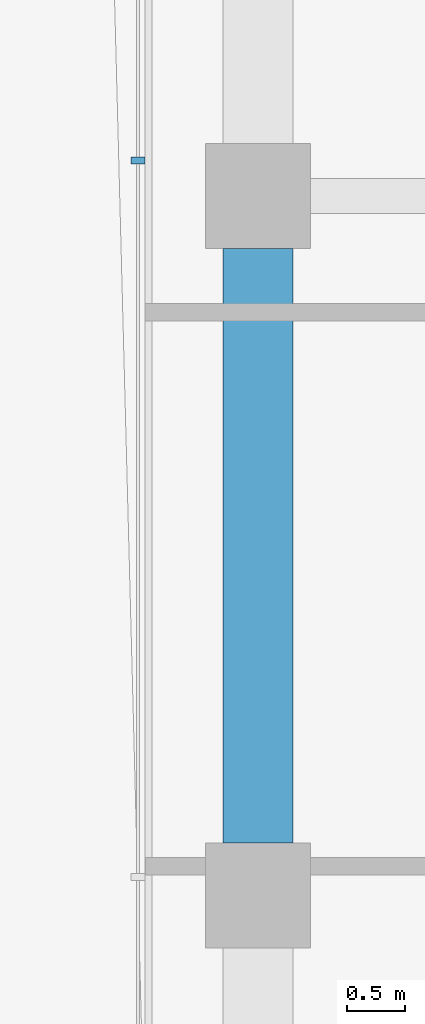
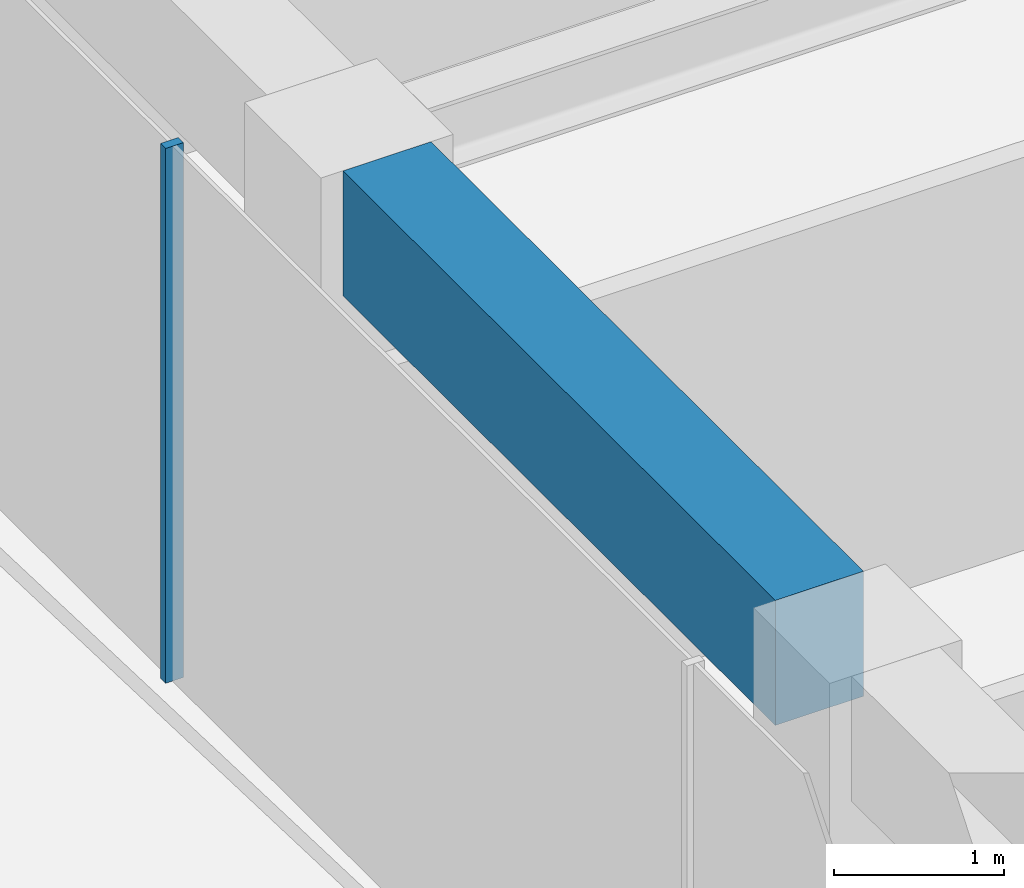
# One storey, part 9 of 23: 1 beam, 1 member, 1 element without a shape of its own.
"""IFC4 building model written with IfcOpenShell, lengths in metres."""

from ifc_helpers import new_model, si_unit, direction, frame, origin, origin_2d, place, context, subcontext, project, spatial, rectangle, extrude, material, layer, layer_set, material_profile, profile_set, type_object, element, aggregate, save


model = new_model("IFC4")

# Units and contexts
model_context = context("Model", 3, precision=1e-05, world=origin(), true_north=direction((0.0, 1.0)))
body_context = subcontext(model_context, "Body", "Model", "MODEL_VIEW")
ifc_project = project(units=[si_unit("LENGTHUNIT", "METRE"), si_unit("AREAUNIT", "SQUARE_METRE"), si_unit("VOLUMEUNIT", "CUBIC_METRE"), si_unit("PLANEANGLEUNIT", "RADIAN"), si_unit("MASSUNIT", "GRAM", prefix="KILO")], contexts=[model_context])

# Site, building, storey
site_placement = place(None, origin())
site = spatial("IfcSite", under=ifc_project, at=site_placement, CompositionType="ELEMENT")
building_placement = place(site_placement, origin())
building = spatial("IfcBuilding", under=site, at=building_placement, Name="Welwitschia Terrace Campus", CompositionType="ELEMENT")
storey_placement = place(building_placement, frame((0.0, 0.0, 104.60009765625)))
storey = spatial("IfcBuildingStorey", under=building, at=storey_placement, Name="L23", CompositionType="ELEMENT", Elevation=104.60009765625)

# Curtain wall, member
ifc_material_1 = material(Name="Bronze anodised aluminium", Category="aluminium")
ifc_layer = layer(ifc_material_1, 0.1201171875)
ifc_layer_set = layer_set([ifc_layer], Name="Bronze anodised aluminium")
curtain_wall_type = type_object("IfcCurtainWallType", Name="Curtain wall CW2 tower 6000", PredefinedType="NOTDEFINED", material=ifc_layer_set)
curtain_wall_placement = place(storey_placement, origin())
curtain_wall = element("IfcCurtainWall", 1, at=curtain_wall_placement, inside=storey, type_object=curtain_wall_type, Name="CW L23.12.0", PredefinedType="NOTDEFINED")
ifc_material_2 = material(Name="Bronze anodised aluminium", Category="aluminium")
ifc_material_profile_1 = material_profile(ifc_material_2, rectangle(XDim=0.1201171875, YDim=0.06005859375, at=origin_2d()))
ifc_profile_set_1 = profile_set([ifc_material_profile_1], Name="Bronze anodised aluminium")
member_type = type_object("IfcMemberType", Name="Mullion 60x120", PredefinedType="MULLION", material=ifc_profile_set_1)
member_placement = place(storey_placement, frame((-1.030029296875, 40.3017578125, 0.0), z_axis=(0.0, 0.0, 1.0), x_axis=(1.0, 0.0, 0.0)))
member = element("IfcMember", 2, at=member_placement, type_object=member_type, Name="Mullion L23.12.0.5", PredefinedType="MULLION", context=body_context, shape_type="SweptSolid", body=[
    extrude(rectangle(XDim=0.1201171875, YDim=0.06005859375, at=origin_2d()), origin(), (0.0, 0.0, 1.0), 3.849853515625),
])
aggregate(curtain_wall, [member])

# Beam
ifc_material_3 = material(Name="Concrete C60/75", Category="concrete")
ifc_material_profile_2 = material_profile(ifc_material_3, rectangle(XDim=0.60009765625, YDim=0.89990234375, at=origin_2d()))
ifc_profile_set_2 = profile_set([ifc_material_profile_2], Name="Concrete C60/75")
beam_type = type_object("IfcBeamType", Name="Ring spandrel 600x900", PredefinedType="SPANDREL", material=ifc_profile_set_2)
beam_placement = place(storey_placement, frame((0.0, 39.549560546875, 3.39990234375), z_axis=(0.0, -1.0, 0.0), x_axis=(1.0, 0.0, 0.0)))
element("IfcBeam", 3, at=beam_placement, inside=storey, type_object=beam_type, Name="Spandrel SP2", PredefinedType="SPANDREL", context=body_context, shape_type="SweptSolid", body=[
    extrude(rectangle(XDim=0.60009765625, YDim=0.89990234375, at=origin_2d()), origin(), (0.0, 0.0, 1.0), 5.09912109375),
])

save(model, "model.ifc")
